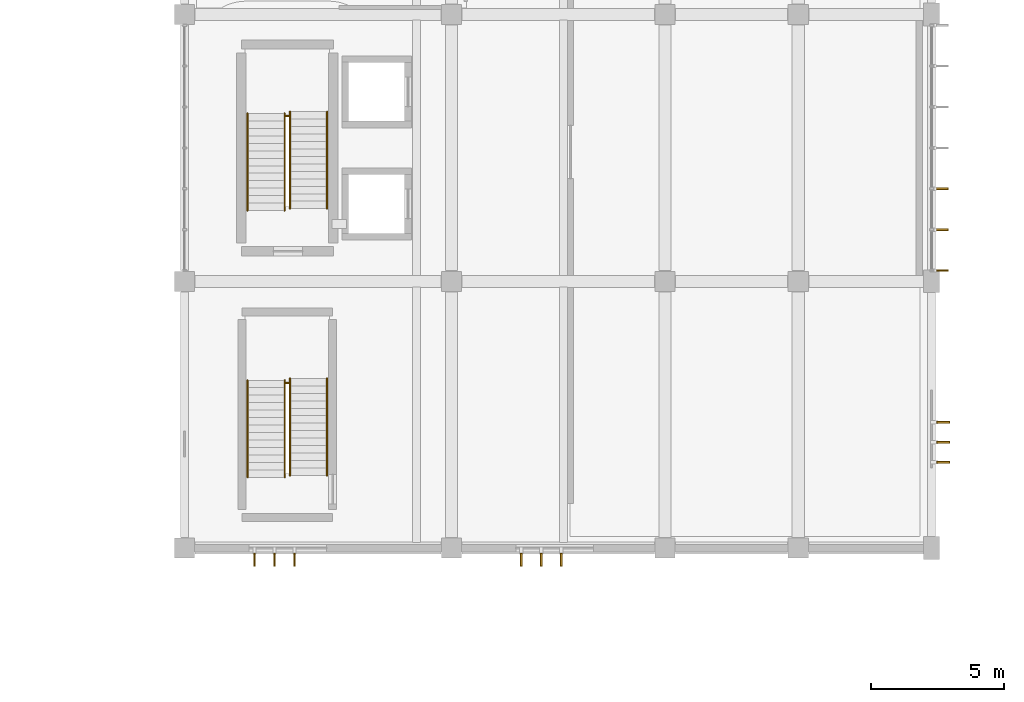
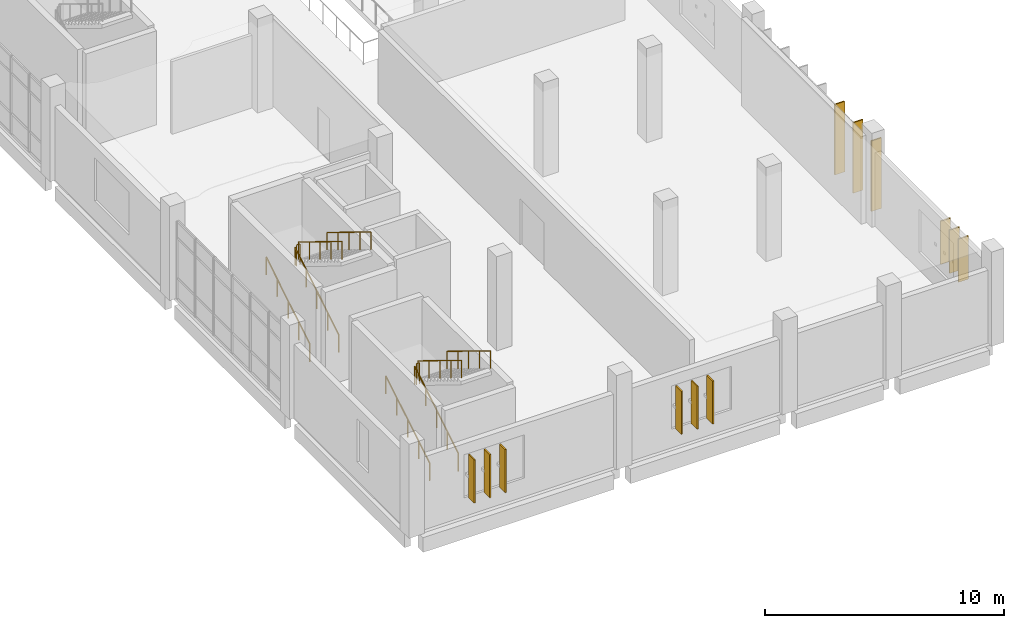
# One storey, part 165 of 179: 12 shading devices, 10 railings.
"""IFC4 building model written with IfcOpenShell, lengths in metres."""

from ifc_helpers import new_model, si_unit, direction, frame, origin, origin_2d, place, context, subcontext, project, spatial, rectangle, circle, extrude, material, layer, layer_set, type_object, element, save


model = new_model("IFC4")

# Units and contexts
model_context = context("Model", 3, precision=1e-05, world=origin(), true_north=direction((0.0, 1.0)))
body_context = subcontext(model_context, "Body", "Model", "MODEL_VIEW")
ifc_project = project(units=[si_unit("LENGTHUNIT", "METRE"), si_unit("AREAUNIT", "SQUARE_METRE"), si_unit("VOLUMEUNIT", "CUBIC_METRE"), si_unit("PLANEANGLEUNIT", "RADIAN"), si_unit("MASSUNIT", "GRAM", prefix="KILO")], contexts=[model_context])

# Site, building, storey
site_placement = place(None, origin())
site = spatial("IfcSite", under=ifc_project, at=site_placement, CompositionType="ELEMENT")
building_placement = place(site_placement, origin())
building = spatial("IfcBuilding", under=site, at=building_placement, Name="Corvandel Quay Wholesale Market", CompositionType="ELEMENT")
storey_placement = place(building_placement, frame((0.0, 0.0, 6.0)))
storey = spatial("IfcBuildingStorey", under=building, at=storey_placement, Name="L01", CompositionType="ELEMENT", Elevation=6.0)

# Railings
ifc_material_1 = material(Name="Painted galvanised tubular steel", Category="steel")
ifc_layer_1 = layer(ifc_material_1, 0.054931640625)
ifc_layer_set_1 = layer_set([ifc_layer_1], Name="Painted galvanised tubular steel")
railing_type_1 = type_object("IfcRailingType", Name="Stairwell Inner Guard Railing GR02 1100mm", PredefinedType="GUARDRAIL", material=ifc_layer_set_1)
for number, where, name in (
    (1, (223.77001953125, 26.18994140625, 2.39990234375), "Stair Landing Well Guard 0151"),
    (2, (223.77001953125, 16.18994140625, 2.39990234375), "Stair Landing Well Guard 0199"),
):
    element("IfcRailing", number, at=place(storey_placement, frame(where)), inside=storey, type_object=railing_type_1, Name=name, PredefinedType="GUARDRAIL", context=body_context, shape_type="SweptSolid", body=[
        extrude(circle(Radius=0.02392578125, at=origin_2d()), frame((0.0, 0.0, 1.076171875), z_axis=(1.0, 0.0, 0.0), x_axis=(0.0, 1.0, 0.0)), (0.0, 0.0, 1.0), 0.159912109375),
        extrude(circle(Radius=0.02099609375, at=origin_2d()), origin(), (0.0, 0.0, 1.0), 1.052001953125),
        extrude(circle(Radius=0.02099609375, at=origin_2d()), frame((0.159912109375, 0.0, 0.0)), (0.0, 0.0, 1.0), 1.052001953125),
    ])
ifc_material_2 = material(Name="Brushed austenitic stainless steel Grade 316", Category="steel")
ifc_layer_2 = layer(ifc_material_2, 0.048095703125)
ifc_layer_set_2 = layer_set([ifc_layer_2], Name="Brushed austenitic stainless steel Grade 316")
railing_type_2 = type_object("IfcRailingType", Name="Tubular Stainless Stair Handrail HR01 915mm", PredefinedType="HANDRAIL", material=ifc_layer_set_2)
for number, where, name in (
    (3, (222.360107421875, 22.64990234375, 0.17138671875), "Stair Handrail 0147"),
    (4, (223.75, 22.64990234375, 0.17138671875), "Stair Handrail 0148"),
):
    element("IfcRailing", number, at=place(storey_placement, frame(where)), inside=storey, type_object=railing_type_2, Name=name, PredefinedType="HANDRAIL", context=body_context, shape_type="SweptSolid", body=[
        extrude(circle(Radius=0.02392578125, at=origin_2d()), frame((0.0, 0.0, 0.89111328125), z_axis=(0.0, 0.852865859571, 0.52213008492), x_axis=(-1.0, 0.0, 0.0)), (0.0, 0.0, 1.0), 4.26806640625),
        extrude(circle(Radius=0.02099609375, at=origin_2d()), origin(), (0.0, 0.0, 1.0), 0.866943359375),
        extrude(circle(Radius=0.02099609375, at=origin_2d()), frame((0.0, 0.91015625, 0.55712890625)), (0.0, 0.0, 1.0), 0.866943359375),
        extrude(circle(Radius=0.02099609375, at=origin_2d()), frame((0.0, 1.820068359375, 1.1142578125)), (0.0, 0.0, 1.0), 0.866943359375),
        extrude(circle(Radius=0.02099609375, at=origin_2d()), frame((0.0, 2.72998046875, 1.67138671875)), (0.0, 0.0, 1.0), 0.866943359375),
        extrude(circle(Radius=0.02099609375, at=origin_2d()), frame((0.0, 3.64013671875, 2.228515625)), (0.0, 0.0, 1.0), 0.866943359375),
    ])
for number, where, name in (
    (5, (223.949951171875, 26.360107421875, 2.5712890625), "Stair Handrail 0149"),
    (6, (225.340087890625, 26.360107421875, 2.5712890625), "Stair Handrail 0150"),
):
    element("IfcRailing", number, at=place(storey_placement, frame(where)), inside=storey, type_object=railing_type_2, Name=name, PredefinedType="HANDRAIL", context=body_context, shape_type="SweptSolid", body=[
        extrude(circle(Radius=0.02392578125, at=origin_2d()), frame((0.0, 0.0, 0.89111328125), z_axis=(0.0, -0.852840387347, 0.522171689878), x_axis=(1.0, 0.0, 0.0)), (0.0, 0.0, 1.0), 4.268310546875),
        extrude(circle(Radius=0.02099609375, at=origin_2d()), origin(), (0.0, 0.0, 1.0), 0.866943359375),
        extrude(circle(Radius=0.02099609375, at=origin_2d()), frame((0.0, -0.91015625, 0.55712890625)), (0.0, 0.0, 1.0), 0.866943359375),
        extrude(circle(Radius=0.02099609375, at=origin_2d()), frame((0.0, -1.820068359375, 1.1142578125)), (0.0, 0.0, 1.0), 0.866943359375),
        extrude(circle(Radius=0.02099609375, at=origin_2d()), frame((0.0, -2.72998046875, 1.671630859375)), (0.0, 0.0, 1.0), 0.866943359375),
        extrude(circle(Radius=0.02099609375, at=origin_2d()), frame((0.0, -3.64013671875, 2.228759765625)), (0.0, 0.0, 1.0), 0.866943359375),
    ])
for number, where, name in (
    (7, (222.360107421875, 12.64990234375, 0.17138671875), "Stair Handrail 0195"),
    (8, (223.75, 12.64990234375, 0.17138671875), "Stair Handrail 0196"),
):
    element("IfcRailing", number, at=place(storey_placement, frame(where)), inside=storey, type_object=railing_type_2, Name=name, PredefinedType="HANDRAIL", context=body_context, shape_type="SweptSolid", body=[
        extrude(circle(Radius=0.02392578125, at=origin_2d()), frame((0.0, 0.0, 0.89111328125), z_axis=(0.0, 0.852865859571, 0.52213008492), x_axis=(-1.0, 0.0, 0.0)), (0.0, 0.0, 1.0), 4.26806640625),
        extrude(circle(Radius=0.02099609375, at=origin_2d()), origin(), (0.0, 0.0, 1.0), 0.866943359375),
        extrude(circle(Radius=0.02099609375, at=origin_2d()), frame((0.0, 0.91015625, 0.55712890625)), (0.0, 0.0, 1.0), 0.866943359375),
        extrude(circle(Radius=0.02099609375, at=origin_2d()), frame((0.0, 1.820068359375, 1.1142578125)), (0.0, 0.0, 1.0), 0.866943359375),
        extrude(circle(Radius=0.02099609375, at=origin_2d()), frame((0.0, 2.72998046875, 1.67138671875)), (0.0, 0.0, 1.0), 0.866943359375),
        extrude(circle(Radius=0.02099609375, at=origin_2d()), frame((0.0, 3.64013671875, 2.228515625)), (0.0, 0.0, 1.0), 0.866943359375),
    ])
for number, where, name in (
    (9, (223.949951171875, 16.360107421875, 2.5712890625), "Stair Handrail 0197"),
    (10, (225.340087890625, 16.360107421875, 2.5712890625), "Stair Handrail 0198"),
):
    element("IfcRailing", number, at=place(storey_placement, frame(where)), inside=storey, type_object=railing_type_2, Name=name, PredefinedType="HANDRAIL", context=body_context, shape_type="SweptSolid", body=[
        extrude(circle(Radius=0.02392578125, at=origin_2d()), frame((0.0, 0.0, 0.89111328125), z_axis=(0.0, -0.852840387347, 0.522171689878), x_axis=(1.0, 0.0, 0.0)), (0.0, 0.0, 1.0), 4.268310546875),
        extrude(circle(Radius=0.02099609375, at=origin_2d()), origin(), (0.0, 0.0, 1.0), 0.866943359375),
        extrude(circle(Radius=0.02099609375, at=origin_2d()), frame((0.0, -0.91015625, 0.55712890625)), (0.0, 0.0, 1.0), 0.866943359375),
        extrude(circle(Radius=0.02099609375, at=origin_2d()), frame((0.0, -1.820068359375, 1.1142578125)), (0.0, 0.0, 1.0), 0.866943359375),
        extrude(circle(Radius=0.02099609375, at=origin_2d()), frame((0.0, -2.72998046875, 1.671630859375)), (0.0, 0.0, 1.0), 0.866943359375),
        extrude(circle(Radius=0.02099609375, at=origin_2d()), frame((0.0, -3.64013671875, 2.228759765625)), (0.0, 0.0, 1.0), 0.866943359375),
    ])

# Shading devices
ifc_material_3 = material(Name="Bronze anodised extruded aluminium 6063-T6", Category="aluminium")
shading_device_type = type_object("IfcShadingDeviceType", Name="Vertical Anodised Bronze Solar Fin FN01 480mm", PredefinedType="JALOUSIE", material=ifc_material_3)
for number, where, z_axis, x_axis, name in (
    (11, (248.43994140625, 13.219970703125, 0.89990234375), (0.0, 0.0, 1.0), (1.0, 0.0, 0.0), "Solar Fin 0636"),
    (12, (248.43994140625, 13.969970703125, 0.89990234375), (0.0, 0.0, 1.0), (1.0, 0.0, 0.0), "Solar Fin 0637"),
    (13, (248.43994140625, 14.719970703125, 0.89990234375), (0.0, 0.0, 1.0), (1.0, 0.0, 0.0), "Solar Fin 0638"),
):
    element("IfcShadingDevice", number, at=place(storey_placement, frame(where, z_axis=z_axis, x_axis=x_axis)), inside=storey, type_object=shading_device_type, Name=name, PredefinedType="JALOUSIE", context=body_context, shape_type="SweptSolid", body=[
        extrude(rectangle(XDim=0.47998046875, YDim=0.06494140625, at=origin_2d()), origin(), (0.0, 0.0, 1.0), 2.199951171875),
    ])
for number, where, z_axis, x_axis, name in (
    (14, (248.3798828125, 20.39990234375, 0.175048828125), (0.0, 0.0, 1.0), (1.0, 0.0, 0.0), "Solar Fin 0639"),
    (15, (248.3798828125, 21.933349609375, 0.175048828125), (0.0, 0.0, 1.0), (1.0, 0.0, 0.0), "Solar Fin 0640"),
    (16, (248.3798828125, 23.466796875, 0.175048828125), (0.0, 0.0, 1.0), (1.0, 0.0, 0.0), "Solar Fin 0641"),
):
    element("IfcShadingDevice", number, at=place(storey_placement, frame(where, z_axis=z_axis, x_axis=x_axis)), inside=storey, type_object=shading_device_type, Name=name, PredefinedType="JALOUSIE", context=body_context, shape_type="SweptSolid", body=[
        extrude(rectangle(XDim=0.47998046875, YDim=0.06494140625, at=origin_2d()), origin(), (0.0, 0.0, 1.0), 3.60009765625),
    ])
for number, where, z_axis, x_axis, name in (
    (17, (222.6201171875, 9.56005859375, 0.9501953125), (0.0, 0.0, 1.0), (0.0, 1.0, 0.0), "Solar Fin 0679"),
    (18, (223.3701171875, 9.56005859375, 0.9501953125), (0.0, 0.0, 1.0), (0.0, 1.0, 0.0), "Solar Fin 0680"),
    (19, (224.1201171875, 9.56005859375, 0.9501953125), (0.0, 0.0, 1.0), (0.0, 1.0, 0.0), "Solar Fin 0681"),
    (20, (232.6201171875, 9.56005859375, 0.9501953125), (0.0, 0.0, 1.0), (0.0, 1.0, 0.0), "Solar Fin 0682"),
    (21, (233.3701171875, 9.56005859375, 0.9501953125), (0.0, 0.0, 1.0), (0.0, 1.0, 0.0), "Solar Fin 0683"),
    (22, (234.1201171875, 9.56005859375, 0.9501953125), (0.0, 0.0, 1.0), (0.0, 1.0, 0.0), "Solar Fin 0684"),
):
    element("IfcShadingDevice", number, at=place(storey_placement, frame(where, z_axis=z_axis, x_axis=x_axis)), inside=storey, type_object=shading_device_type, Name=name, PredefinedType="JALOUSIE", context=body_context, shape_type="SweptSolid", body=[
        extrude(rectangle(XDim=0.47998046875, YDim=0.06494140625, at=origin_2d()), origin(), (0.0, 0.0, 1.0), 2.199951171875),
    ])

save(model, "model.ifc")
